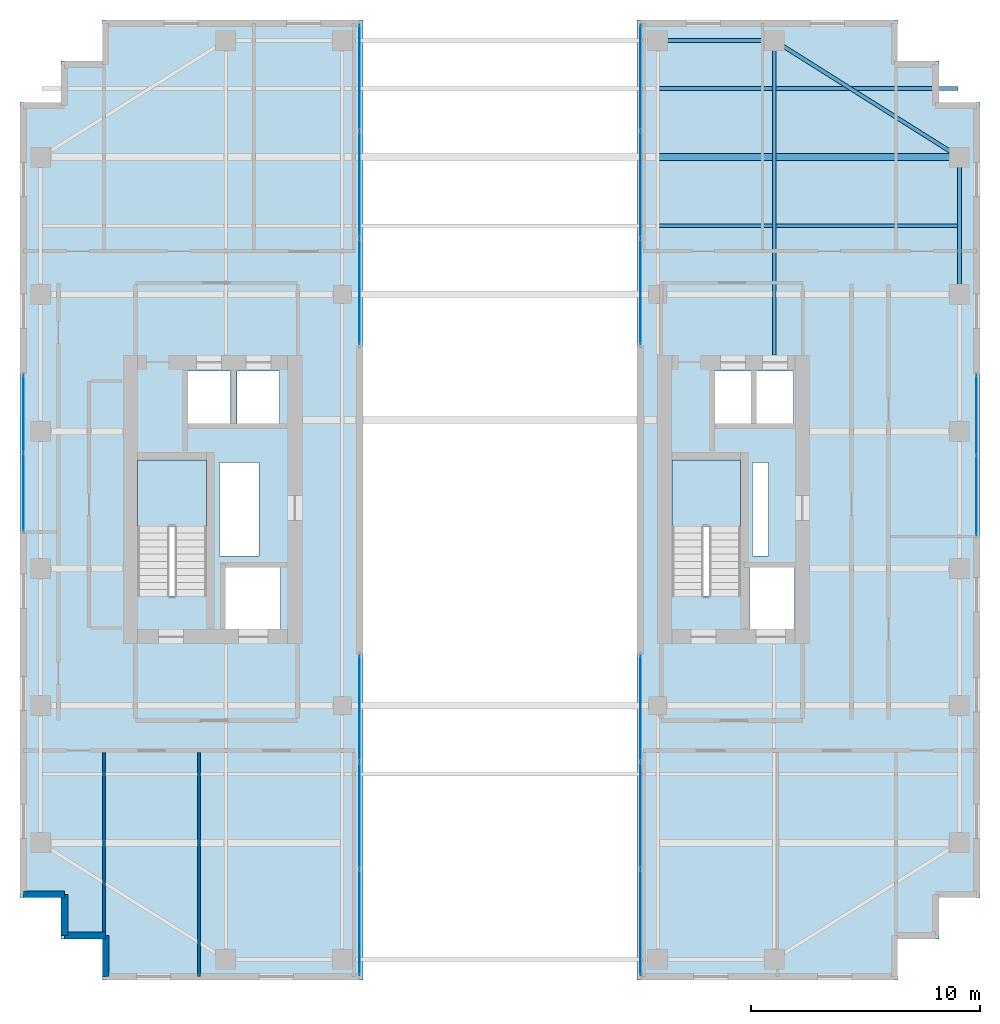
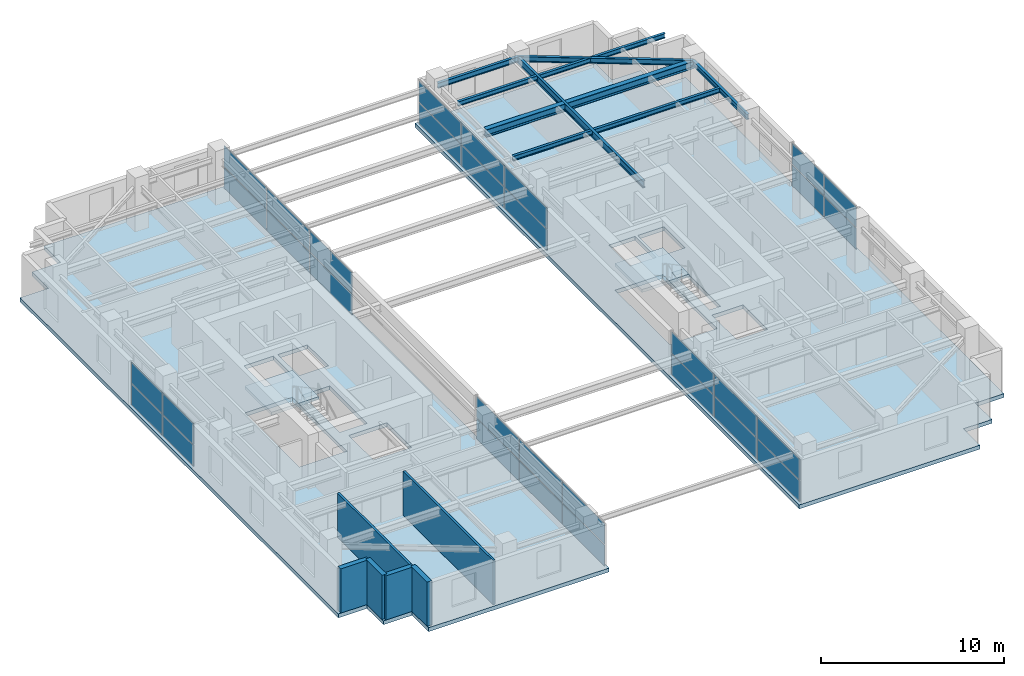
# One storey, part 16 of 21: 32 plates, 7 beams, 6 walls, 4 slabs, 8 elements without a shape of their own.
"""IFC4 building model written with IfcOpenShell, lengths in metres."""

import ifcopenshell
import ifcopenshell.guid

model = None  # the IFC model being written
_history = None  # IfcOwnerHistory: only IFC2X3 demands one
_inside = {}  # id of a spatial element -> (the spatial element, [elements in it])
_under = {}  # id of a project, library or spatial element -> (it, [spatial elements below it])
_declared = {}  # id of a project -> (the project, [libraries it declares])
_typed = {}  # id of a type object -> (the type object, [elements of that type])
_made_of = {}  # id of a material, layer set ... -> (it, [elements and type objects made of it])


def new_model(schema):
    """Start an empty IFC model of exactly this schema.

    Asked for "IFC4X3", IfcOpenShell would pick the latest addendum, in which some entities
    have other attributes; the version numbers below select the first issue.
    IFC2X3 requires an IfcOwnerHistory on every rooted entity: one is made here for all.
    """
    global model, _history
    if schema == "IFC4X3":
        model = ifcopenshell.file(schema_version=(4, 3, 0, 0))
    else:
        model = ifcopenshell.file(schema=schema)
    _inside.clear()
    _under.clear()
    _declared.clear()
    _typed.clear()
    _made_of.clear()
    _history = None
    if model.schema == "IFC2X3":
        org = make("IfcOrganization", Name="unknown")
        user = make(
            "IfcPersonAndOrganization",
            ThePerson=make("IfcPerson", FamilyName="unknown"),
            TheOrganization=org,
        )
        app = make(
            "IfcApplication",
            ApplicationDeveloper=org,
            Version="unknown",
            ApplicationFullName="unknown",
            ApplicationIdentifier="unknown",
        )
        _history = make(
            "IfcOwnerHistory",
            OwningUser=user,
            OwningApplication=app,
            ChangeAction="ADDED",
            CreationDate=0,
        )
    return model


def make(cls, **values):
    """One entity of the class cls with the attributes given. An attribute that is None is left unset."""
    return model.create_entity(
        cls, **{name: value for name, value in values.items() if value is not None}
    )


def rooted(cls, **values):
    """An entity with a GlobalId (a new one), such as an element, a storey or a relation."""
    return make(cls, GlobalId=ifcopenshell.guid.new(), OwnerHistory=_history, **values)


def si_unit(unit_type, name, prefix=None):
    """IfcSIUnit, for example si_unit("LENGTHUNIT", "METRE", prefix="MILLI")."""
    return make("IfcSIUnit", UnitType=unit_type, Prefix=prefix, Name=name)


def assignment(units):
    """IfcUnitAssignment: the units of a project."""
    return None if units is None else make("IfcUnitAssignment", Units=units)


def point(xyz):
    """IfcCartesianPoint."""
    return None if xyz is None else make("IfcCartesianPoint", Coordinates=xyz)


def direction(xyz):
    """IfcDirection."""
    return None if xyz is None else make("IfcDirection", DirectionRatios=xyz)


def frame(location, z_axis=None, x_axis=None):
    """IfcAxis2Placement3D, a coordinate frame: its origin and axes. An axis left out is left unset."""
    return make(
        "IfcAxis2Placement3D",
        Location=point(location),
        Axis=direction(z_axis),
        RefDirection=direction(x_axis),
    )


def frame_2d(location, x_axis=None):
    """IfcAxis2Placement2D, a coordinate frame in the plane: its origin and x axis."""
    return make(
        "IfcAxis2Placement2D", Location=point(location), RefDirection=direction(x_axis)
    )


def origin():
    """The frame at (0, 0, 0) with its axes left unset."""
    return frame((0.0, 0.0, 0.0))


def origin_2d():
    """The frame at (0, 0) in the plane with its x axis left unset."""
    return frame_2d((0.0, 0.0))


def place(relative_to, where):
    """IfcLocalPlacement: puts the frame where relative to a parent placement (None: the world)."""
    return make(
        "IfcLocalPlacement", PlacementRelTo=relative_to, RelativePlacement=where
    )


def context(
    kind, dimensions, precision=None, world=None, true_north=None, identifier=None
):
    """IfcGeometricRepresentationContext, for example the 3D "Model" context."""
    return make(
        "IfcGeometricRepresentationContext",
        ContextIdentifier=identifier,
        ContextType=kind,
        CoordinateSpaceDimension=dimensions,
        Precision=precision,
        WorldCoordinateSystem=world,
        TrueNorth=true_north,
    )


def subcontext(parent, identifier, kind, view, scale=None):
    """IfcGeometricRepresentationSubContext, for example "Body" below "Model"."""
    return make(
        "IfcGeometricRepresentationSubContext",
        ContextIdentifier=identifier,
        ContextType=kind,
        ParentContext=parent,
        TargetScale=scale,
        TargetView=view,
    )


def project(units=None, contexts=None):
    """IfcProject with its units and contexts."""
    return rooted(
        "IfcProject",
        Name="project",
        RepresentationContexts=contexts,
        UnitsInContext=assignment(units),
    )


def spatial(cls, under=None, at=None, **own):
    """A site, building, storey or space (cls), placed at a placement, below another one or the project."""
    s = rooted(cls, ObjectPlacement=at, **own)
    if under is not None:
        _under.setdefault(under.id(), (under, []))[1].append(s)
    return s


def polyline(points):
    """IfcPolyline through the points."""
    return make("IfcPolyline", Points=[point(p) for p in points])


def profile(cls, at=None, kind="AREA", **sizes):
    """A parametric profile (cls). Its sizes go by their IFC names, for example OverallWidth=200.0."""
    return make(cls, ProfileType=kind, Position=at, **sizes)


def rectangle(**sizes):
    """IfcRectangleProfileDef."""
    return profile("IfcRectangleProfileDef", **sizes)


def i_section(**sizes):
    """IfcIShapeProfileDef."""
    return profile("IfcIShapeProfileDef", **sizes)


def outline(outer, holes=None, kind="AREA"):
    """IfcArbitraryClosedProfileDef: a profile drawn as a closed curve; with holes, ...WithVoids."""
    if holes is None:
        return make("IfcArbitraryClosedProfileDef", ProfileType=kind, OuterCurve=outer)
    return make(
        "IfcArbitraryProfileDefWithVoids",
        ProfileType=kind,
        OuterCurve=outer,
        InnerCurves=holes,
    )


def extrude(swept, where, along, depth):
    """IfcExtrudedAreaSolid: the profile swept, set in the frame where, extruded along a direction by depth."""
    return make(
        "IfcExtrudedAreaSolid",
        SweptArea=swept,
        Position=where,
        ExtrudedDirection=direction(along),
        Depth=depth,
    )


def shape(context_of_items, identifier, shape_type, items):
    """IfcShapeRepresentation: the items that make up one representation, for example the "Body"."""
    return make(
        "IfcShapeRepresentation",
        ContextOfItems=context_of_items,
        RepresentationIdentifier=identifier,
        RepresentationType=shape_type,
        Items=items,
    )


def source(mapping_origin, context_of_items, identifier, shape_type, items):
    """IfcRepresentationMap: a shape defined once, which mapped items show again and again."""
    return make(
        "IfcRepresentationMap",
        MappingOrigin=mapping_origin,
        MappedRepresentation=shape(context_of_items, identifier, shape_type, items),
    )


def transform(
    local_origin,
    x_axis=None,
    y_axis=None,
    z_axis=None,
    scale=None,
    scale2=None,
    scale3=None,
    uniform=True,
):
    """IfcCartesianTransformationOperator3D, or its non-uniform kind. x_axis, y_axis, z_axis: its Axis1, 2, 3."""
    if uniform:
        return make(
            "IfcCartesianTransformationOperator3D",
            Axis1=direction(x_axis),
            Axis2=direction(y_axis),
            LocalOrigin=point(local_origin),
            Scale=scale,
            Axis3=direction(z_axis),
        )
    return make(
        "IfcCartesianTransformationOperator3DnonUniform",
        Axis1=direction(x_axis),
        Axis2=direction(y_axis),
        LocalOrigin=point(local_origin),
        Scale=scale,
        Axis3=direction(z_axis),
        Scale2=scale2,
        Scale3=scale3,
    )


def mapped(mapping_source, mapping_target):
    """IfcMappedItem: shows the shape of a source again, moved by a transform."""
    return make(
        "IfcMappedItem", MappingSource=mapping_source, MappingTarget=mapping_target
    )


def material(Name=None, Category=None):
    """IfcMaterial."""
    return make("IfcMaterial", Name=Name, Category=Category)


def layer(
    of_material, thickness, ventilated=None, Name=None, Category=None, Priority=None
):
    """IfcMaterialLayer: one layer of a wall or slab, of a material (None: an air gap)."""
    return make(
        "IfcMaterialLayer",
        Material=of_material,
        LayerThickness=thickness,
        IsVentilated=ventilated,
        Name=Name,
        Category=Category,
        Priority=Priority,
    )


def layer_set(layers, Name=None):
    """IfcMaterialLayerSet."""
    return make("IfcMaterialLayerSet", MaterialLayers=layers, LayerSetName=Name)


def material_profile(
    of_material, cross_section, Name=None, Category=None, Priority=None
):
    """IfcMaterialProfile: a cross section and its material."""
    return make(
        "IfcMaterialProfile",
        Name=Name,
        Material=of_material,
        Profile=cross_section,
        Priority=Priority,
        Category=Category,
    )


def profile_set(profiles, Name=None, composite=None):
    """IfcMaterialProfileSet."""
    return make(
        "IfcMaterialProfileSet",
        Name=Name,
        MaterialProfiles=profiles,
        CompositeProfile=composite,
    )


def made_of(thing, what):
    """Note that an element or type object is made of a material, layer set ...; save() writes the relation."""
    if what is not None:
        _made_of.setdefault(what.id(), (what, []))[1].append(thing)
    return thing


def type_object(cls, material=None, **own):
    """A type object (cls), such as IfcWallType, which elements share."""
    return made_of(rooted(cls, **own), material)


def element(
    cls,
    number,
    at=None,
    inside=None,
    cuts=None,
    type_object=None,
    material=None,
    context=None,
    identifier="Body",
    shape_type=None,
    held_by="IfcProductDefinitionShape",
    body=None,
    shapes=None,
    **own,
):
    """One element of the class cls, such as IfcWall. Its Tag is "e" and its number.

    at: its placement. inside: the storey or other place that contains it. cuts: it is an
    opening in that element (IfcRelVoidsElement). A single representation is given by context,
    identifier, shape_type and body (its items); several are given by shapes. held_by: the class
    of the entity that holds the representations. save() writes the other relations.
    """
    e = rooted(cls, Tag="e%d" % number, ObjectPlacement=at, **own)
    if body is not None:
        shapes = [shape(context, identifier, shape_type, body)]
    if shapes is not None:
        e.Representation = make(held_by, Representations=shapes)
    if inside is not None:
        _inside.setdefault(inside.id(), (inside, []))[1].append(e)
    if cuts is not None:
        rooted(
            "IfcRelVoidsElement", RelatingBuildingElement=cuts, RelatedOpeningElement=e
        )
    if type_object is not None:
        _typed.setdefault(type_object.id(), (type_object, []))[1].append(e)
    return made_of(e, material)


def aggregate(whole, parts):
    """IfcRelAggregates: a whole, such as a stair, and the parts it consists of."""
    return rooted("IfcRelAggregates", RelatingObject=whole, RelatedObjects=parts)


def save(model, path):
    """Write the relations noted so far, then the file.

    IfcRelAggregates (storeys below a building ...), IfcRelContainedInSpatialStructure (elements
    in a storey), IfcRelDefinesByType, IfcRelAssociatesMaterial and IfcRelDeclares: one each for
    every whole, place, type object, material and project.
    """
    for whole, parts in _under.values():
        aggregate(whole, parts)
    for where, things in _inside.values():
        rooted(
            "IfcRelContainedInSpatialStructure",
            RelatedElements=things,
            RelatingStructure=where,
        )
    for kind, things in _typed.values():
        rooted("IfcRelDefinesByType", RelatedObjects=things, RelatingType=kind)
    for what, things in _made_of.values():
        rooted("IfcRelAssociatesMaterial", RelatedObjects=things, RelatingMaterial=what)
    for by, libraries in _declared.values():
        rooted("IfcRelDeclares", RelatingContext=by, RelatedDefinitions=libraries)
    model.write(path)


model = new_model("IFC4")

# Units and contexts
model_context = context("Model", 3, precision=1e-05, world=origin(), true_north=direction((0.0, 1.0)))
body_context = subcontext(model_context, "Body", "Model", "MODEL_VIEW")
ifc_project = project(units=[si_unit("LENGTHUNIT", "METRE"), si_unit("AREAUNIT", "SQUARE_METRE"), si_unit("VOLUMEUNIT", "CUBIC_METRE"), si_unit("PLANEANGLEUNIT", "RADIAN"), si_unit("MASSUNIT", "GRAM", prefix="KILO")], contexts=[model_context])

# Site, building, storey
site_placement = place(None, origin())
site = spatial("IfcSite", under=ifc_project, at=site_placement, CompositionType="ELEMENT")
building_placement = place(site_placement, origin())
building = spatial("IfcBuilding", under=site, at=building_placement, Name="Khoralis Quay Care Tower", CompositionType="ELEMENT")
storey_placement = place(building_placement, frame((0.0, 0.0, 213.300048828125)))
storey = spatial("IfcBuildingStorey", under=building, at=storey_placement, Name="L56", CompositionType="ELEMENT", Elevation=213.300048828125)

# Beams
ifc_material_1 = material(Name="Steel S355", Category="steel")
ifc_material_profile_1 = material_profile(ifc_material_1, i_section(OverallWidth=0.169921875, OverallDepth=0.360107421875, WebThickness=0.008056640625, FlangeThickness=0.0126953125, FilletRadius=0.01806640625, at=origin_2d()), Name="Steel S355")
ifc_profile_set_1 = profile_set([ifc_material_profile_1], Name="Steel S355")
beam_type_1 = type_object("IfcBeamType", Name="BM-IPE360", PredefinedType="SPANDREL", material=ifc_profile_set_1)
shared_shape_1 = source(origin(), body_context, "Body", "SweptSolid", [
    extrude(i_section(OverallWidth=0.169921875, OverallDepth=0.360107421875, WebThickness=0.008056640625, FlangeThickness=0.0126953125, FilletRadius=0.01806640625, at=origin_2d()), origin(), (0.0, 0.0, 1.0), 5.10009765625),
])
beam_1_placement = place(storey_placement, frame((30.89990234375, 41.10009765625, 2.77001953125), z_axis=(1.0, 0.0, 0.0), x_axis=(0.0, 1.0, 0.0)))
element("IfcBeam", 1, at=beam_1_placement, inside=storey, type_object=beam_type_1, Name="BM-TSP-L56-06", PredefinedType="SPANDREL", context=body_context, shape_type="MappedRepresentation", body=[
    mapped(shared_shape_1, transform((0.0, 0.0, 0.0), scale=1.0)),
])
shared_shape_2 = source(origin(), body_context, "Body", "SweptSolid", [
    extrude(i_section(OverallWidth=0.169921875, OverallDepth=0.360107421875, WebThickness=0.008056640625, FlangeThickness=0.0126953125, FilletRadius=0.01806640625, at=origin_2d()), origin(), (0.0, 0.0, 1.0), 6.0),
])
beam_2_placement = place(storey_placement, frame((44.10009765625, 30.0, 2.77001953125), z_axis=(0.0, 1.0, 0.0), x_axis=(-1.0, 0.0, 0.0)))
element("IfcBeam", 2, at=beam_2_placement, inside=storey, type_object=beam_type_1, Name="BM-TSP-L56-16", PredefinedType="SPANDREL", context=body_context, shape_type="MappedRepresentation", body=[
    mapped(shared_shape_2, transform((0.0, 0.0, 0.0), scale=1.0)),
])
shared_shape_3 = source(origin(), body_context, "Body", "SweptSolid", [
    extrude(i_section(OverallWidth=0.169921875, OverallDepth=0.360107421875, WebThickness=0.008056640625, FlangeThickness=0.0126953125, FilletRadius=0.01806640625, at=origin_2d()), origin(), (0.0, 0.0, 1.0), 9.572021484375),
])
beam_3_placement = place(storey_placement, frame((36.0, 41.10009765625, 2.77001953125), z_axis=(0.846231136359, -0.532815975602, 0.0), x_axis=(0.532815975602, 0.846231136359, 0.0)))
element("IfcBeam", 3, at=beam_3_placement, inside=storey, type_object=beam_type_1, Name="BM-TCR-L56-20", PredefinedType="SPANDREL", context=body_context, shape_type="MappedRepresentation", body=[
    mapped(shared_shape_3, transform((0.0, 0.0, 0.0), scale=1.0)),
])
ifc_material_profile_2 = material_profile(ifc_material_1, i_section(OverallWidth=0.300048828125, OverallDepth=0.5, WebThickness=0.014404296875, FlangeThickness=0.028076171875, FilletRadius=0.027099609375, at=origin_2d()), Name="Steel S355")
ifc_profile_set_2 = profile_set([ifc_material_profile_2], Name="Steel S355")
beam_type_2 = type_object("IfcBeamType", Name="BM-HEB500", PredefinedType="BEAM", material=ifc_profile_set_2)
shared_shape_4 = source(origin(), body_context, "Body", "SweptSolid", [
    extrude(i_section(OverallWidth=0.300048828125, OverallDepth=0.5, WebThickness=0.014404296875, FlangeThickness=0.028076171875, FilletRadius=0.027099609375, at=origin_2d()), origin(), (0.0, 0.0, 1.0), 13.135009765625),
])
beam_4_placement = place(storey_placement, frame((30.965087890625, 36.0, 2.699951171875), z_axis=(1.0, 0.0, 0.0), x_axis=(0.0, 1.0, 0.0)))
element("IfcBeam", 4, at=beam_4_placement, inside=storey, type_object=beam_type_2, Name="BM-TGXE-L56-360", PredefinedType="BEAM", context=body_context, shape_type="MappedRepresentation", body=[
    mapped(shared_shape_4, transform((0.0, 0.0, 0.0), scale=1.0)),
])
ifc_material_profile_3 = material_profile(ifc_material_1, i_section(OverallWidth=0.154052734375, OverallDepth=0.458984375, WebThickness=0.009033203125, FlangeThickness=0.015380859375, FilletRadius=0.014892578125, at=origin_2d()), Name="Steel S355")
ifc_profile_set_3 = profile_set([ifc_material_profile_3], Name="Steel S355")
beam_type_3 = type_object("IfcBeamType", Name="BM-W460X68", PredefinedType="BEAM", material=ifc_profile_set_3)
shared_shape_5 = source(origin(), body_context, "Body", "SweptSolid", [
    extrude(i_section(OverallWidth=0.154052734375, OverallDepth=0.458984375, WebThickness=0.009033203125, FlangeThickness=0.015380859375, FilletRadius=0.014892578125, at=origin_2d()), origin(), (0.0, 0.0, 1.0), 13.752197265625),
])
beam_5_placement = place(storey_placement, frame((36.0, 27.347900390625, 2.720458984375), z_axis=(0.0, 1.0, 0.0), x_axis=(-1.0, 0.0, 0.0)))
element("IfcBeam", 5, at=beam_5_placement, inside=storey, type_object=beam_type_3, Name="BM-TGYN-L56-360", PredefinedType="BEAM", context=body_context, shape_type="MappedRepresentation", body=[
    mapped(shared_shape_5, transform((0.0, 0.0, 0.0), scale=1.0)),
])
ifc_material_profile_4 = material_profile(ifc_material_1, i_section(OverallWidth=0.1650390625, OverallDepth=0.31005859375, WebThickness=0.005859375, FlangeThickness=0.009765625, FilletRadius=0.011962890625, at=origin_2d()), Name="Steel S355")
ifc_profile_set_4 = profile_set([ifc_material_profile_4], Name="Steel S355")
beam_type_4 = type_object("IfcBeamType", Name="BM-W310X39", PredefinedType="JOIST", material=ifc_profile_set_4)
shared_shape_6 = source(origin(), body_context, "Body", "SweptSolid", [
    extrude(i_section(OverallWidth=0.1650390625, OverallDepth=0.31005859375, WebThickness=0.005859375, FlangeThickness=0.009765625, FilletRadius=0.011962890625, at=origin_2d()), origin(), (0.0, 0.0, 1.0), 13.06396484375),
])
for number, where, z_axis, x_axis, name in (
    (6, (30.965087890625, 33.0, 2.794921875), (1.0, 0.0, 0.0), (0.0, 1.0, 0.0), "BM-TJS-L56-25"),
    (7, (30.965087890625, 39.0, 2.794921875), (1.0, 0.0, 0.0), (0.0, 1.0, 0.0), "BM-TJS-L56-28"),
):
    element("IfcBeam", number, at=place(storey_placement, frame(where, z_axis=z_axis, x_axis=x_axis)), inside=storey, type_object=beam_type_4, Name=name, PredefinedType="JOIST", context=body_context, shape_type="MappedRepresentation", body=[
        mapped(shared_shape_6, transform((0.0, 0.0, 0.0), scale=1.0)),
    ])

# Stair, slab
ifc_material_2 = material(Name="Precast concrete C45/55", Category="concrete")
stair_type = type_object("IfcStairType", Name="ST-TWR-DOGLEG-1400", PredefinedType="HALF_TURN_STAIR", material=ifc_material_2)
stair_1_placement = place(storey_placement, origin())
stair_1 = element("IfcStair", 8, at=stair_1_placement, inside=storey, type_object=stair_type, Name="L56 West Core Exit Stair ST-T1", PredefinedType="HALF_TURN_STAIR")
ifc_layer_1 = layer(ifc_material_2, 0.199951171875)
ifc_layer_set_1 = layer_set([ifc_layer_1], Name="Precast concrete C45/55")
slab_type_1 = type_object("IfcSlabType", Name="SLB-LANDING-200", PredefinedType="LANDING", material=ifc_layer_set_1)
slab_1_placement = place(storey_placement, frame((0.0, 0.0, 1.599853515625)))
slab_1 = element("IfcSlab", 9, at=slab_1_placement, type_object=slab_type_1, Name="ST-T1 landing 1", PredefinedType="LANDING", context=body_context, shape_type="SweptSolid", body=[
    extrude(outline(polyline([(11.14990234375, 19.840087890625), (11.14990234375, 22.75), (8.14990234375, 22.75), (8.14990234375, 19.840087890625), (11.14990234375, 19.840087890625)])), origin(), (0.0, 0.0, 1.0), 0.2001953125),
])
aggregate(stair_1, [slab_1])

stair_2_placement = place(storey_placement, origin())
stair_2 = element("IfcStair", 10, at=stair_2_placement, inside=storey, type_object=stair_type, Name="L56 East Core Exit Stair ST-T2", PredefinedType="HALF_TURN_STAIR")
slab_2_placement = place(storey_placement, frame((0.0, 0.0, 1.599853515625)))
slab_2 = element("IfcSlab", 11, at=slab_2_placement, type_object=slab_type_1, Name="ST-T2 landing 1", PredefinedType="LANDING", context=body_context, shape_type="SweptSolid", body=[
    extrude(outline(polyline([(34.52001953125, 19.840087890625), (34.52001953125, 22.75), (31.52001953125, 22.75), (31.52001953125, 19.840087890625), (34.52001953125, 19.840087890625)])), origin(), (0.0, 0.0, 1.0), 0.2001953125),
])
aggregate(stair_2, [slab_2])

# Slabs
ifc_material_3 = material(Name="Concrete C40/50", Category="concrete")
ifc_layer_2 = layer(ifc_material_3, 0.260009765625)
ifc_layer_set_2 = layer_set([ifc_layer_2], Name="Concrete C40/50")
slab_type_2 = type_object("IfcSlabType", Name="SLB-TWR-260", PredefinedType="FLOOR", material=ifc_layer_set_2)
slab_3_placement = place(storey_placement, frame((0.0, 0.0, -0.260009765625)))
element("IfcSlab", 12, at=slab_3_placement, inside=storey, type_object=slab_type_2, Name="Tower Wing 1 Slab L56", PredefinedType="FLOOR", context=body_context, shape_type="SweptSolid", body=[
    extrude(outline(polyline([(6.60009765625, 0.0), (18.0, 0.0), (18.0, 42.0), (6.60009765625, 42.0), (6.60009765625, 40.199951171875), (4.800048828125, 40.199951171875), (4.800048828125, 38.39990234375), (3.0, 38.39990234375), (3.0, 3.60009765625), (4.800048828125, 3.60009765625), (4.800048828125, 1.800048828125), (6.60009765625, 1.800048828125), (6.60009765625, 0.0)]), holes=[polyline([(11.14990234375, 16.800048828125), (11.14990234375, 22.75), (8.14990234375, 22.75), (8.14990234375, 16.800048828125), (11.14990234375, 16.800048828125)]), polyline([(12.0, 15.35009765625), (14.39990234375, 15.35009765625), (14.39990234375, 18.050048828125), (12.0, 18.050048828125), (12.0, 15.35009765625)]), polyline([(10.35009765625, 24.35009765625), (12.199951171875, 24.35009765625), (12.199951171875, 26.64990234375), (10.35009765625, 26.64990234375), (10.35009765625, 24.35009765625)]), polyline([(12.5, 24.35009765625), (14.35009765625, 24.35009765625), (14.35009765625, 26.64990234375), (12.5, 26.64990234375), (12.5, 24.35009765625)]), polyline([(11.719970703125, 18.550048828125), (13.449951171875, 18.550048828125), (13.449951171875, 22.64990234375), (11.719970703125, 22.64990234375), (11.719970703125, 18.550048828125)])]), origin(), (0.0, 0.0, 1.0), 0.260009765625),
])
slab_4_placement = place(storey_placement, frame((0.0, 0.0, -0.260009765625)))
element("IfcSlab", 13, at=slab_4_placement, inside=storey, type_object=slab_type_2, Name="Tower Wing 2 Slab L56", PredefinedType="FLOOR", context=body_context, shape_type="SweptSolid", body=[
    extrude(outline(polyline([(30.0, 0.0), (41.39990234375, 0.0), (41.39990234375, 1.800048828125), (43.199951171875, 1.800048828125), (43.199951171875, 3.60009765625), (45.0, 3.60009765625), (45.0, 38.39990234375), (43.199951171875, 38.39990234375), (43.199951171875, 40.199951171875), (41.39990234375, 40.199951171875), (41.39990234375, 42.0), (30.0, 42.0), (30.0, 0.0)]), holes=[polyline([(34.52001953125, 16.800048828125), (34.52001953125, 22.75), (31.52001953125, 22.75), (31.52001953125, 16.800048828125), (34.52001953125, 16.800048828125)]), polyline([(34.919921875, 15.35009765625), (36.8798828125, 15.35009765625), (36.8798828125, 18.050048828125), (34.919921875, 18.050048828125), (34.919921875, 15.35009765625)]), polyline([(33.3798828125, 24.35009765625), (35.030029296875, 24.35009765625), (35.030029296875, 26.64990234375), (33.3798828125, 26.64990234375), (33.3798828125, 24.35009765625)]), polyline([(35.199951171875, 24.35009765625), (36.85009765625, 24.35009765625), (36.85009765625, 26.64990234375), (35.199951171875, 26.64990234375), (35.199951171875, 24.35009765625)]), polyline([(35.050048828125, 18.550048828125), (35.75, 18.550048828125), (35.75, 22.64990234375), (35.050048828125, 22.64990234375), (35.050048828125, 18.550048828125)])]), origin(), (0.0, 0.0, 1.0), 0.260009765625),
])

# Curtain wall, plates
ifc_material_4 = material(Name="Pale anodised aluminium", Category="aluminium")
ifc_layer_3 = layer(ifc_material_4, 0.18994140625)
ifc_layer_set_3 = layer_set([ifc_layer_3], Name="Pale anodised aluminium")
curtain_wall_type_1 = type_object("IfcCurtainWallType", Name="CW-SYS-PORTAL", PredefinedType="NOTDEFINED", material=ifc_layer_set_3)
curtain_wall_1_placement = place(storey_placement, origin())
curtain_wall_1 = element("IfcCurtainWall", 14, at=curtain_wall_1_placement, inside=storey, type_object=curtain_wall_type_1, Name="L56 Unitised Curtain Wall CW-VP-L56-P1-S", PredefinedType="NOTDEFINED")
ifc_material_5 = material(Name="Low-E solar-control double glazing", Category="glass")
ifc_layer_4 = layer(ifc_material_5, 0.031982421875)
ifc_layer_set_4 = layer_set([ifc_layer_4], Name="Low-E solar-control double glazing")
plate_type = type_object("IfcPlateType", Name="PNL-VIS-32", PredefinedType="CURTAIN_PANEL", material=ifc_layer_set_4)
shared_shape_7 = source(origin(), body_context, "Body", "SweptSolid", [
    extrude(rectangle(XDim=4.610107421875, YDim=0.028076171875, at=origin_2d()), origin(), (0.0, 0.0, 1.0), 1.385009765625),
])
plate_1_placement = place(storey_placement, frame((17.85009765625, 2.514892578125, 0.06005859375), z_axis=(0.0, 0.0, 1.0), x_axis=(0.0, 1.0, 0.0)))
plate_1 = element("IfcPlate", 15, at=plate_1_placement, type_object=plate_type, Name="CW4 panel 1.1", PredefinedType="CURTAIN_PANEL", context=body_context, shape_type="MappedRepresentation", body=[
    mapped(shared_shape_7, transform((0.0, 0.0, 0.0), scale=1.0)),
])
plate_2_placement = place(storey_placement, frame((17.85009765625, 2.514892578125, 1.5048828125), z_axis=(0.0, 0.0, 1.0), x_axis=(0.0, 1.0, 0.0)))
plate_2 = element("IfcPlate", 16, at=plate_2_placement, type_object=plate_type, Name="CW4 panel 1.2", PredefinedType="CURTAIN_PANEL", context=body_context, shape_type="MappedRepresentation", body=[
    mapped(shared_shape_7, transform((0.0, 0.0, 0.0), scale=1.0)),
])
plate_3_placement = place(storey_placement, frame((17.85009765625, 11.885009765625, 0.06005859375), z_axis=(0.0, 0.0, 1.0), x_axis=(0.0, 1.0, 0.0)))
plate_3 = element("IfcPlate", 17, at=plate_3_placement, type_object=plate_type, Name="CW4 panel 3.1", PredefinedType="CURTAIN_PANEL", context=body_context, shape_type="MappedRepresentation", body=[
    mapped(shared_shape_7, transform((0.0, 0.0, 0.0), scale=1.0)),
])
plate_4_placement = place(storey_placement, frame((17.85009765625, 11.885009765625, 1.5048828125), z_axis=(0.0, 0.0, 1.0), x_axis=(0.0, 1.0, 0.0)))
plate_4 = element("IfcPlate", 18, at=plate_4_placement, type_object=plate_type, Name="CW4 panel 3.2", PredefinedType="CURTAIN_PANEL", context=body_context, shape_type="MappedRepresentation", body=[
    mapped(shared_shape_7, transform((0.0, 0.0, 0.0), scale=1.0)),
])

curtain_wall_2_placement = place(storey_placement, origin())
curtain_wall_2 = element("IfcCurtainWall", 19, at=curtain_wall_2_placement, inside=storey, type_object=curtain_wall_type_1, Name="L56 Unitised Curtain Wall CW-VP-L56-P1-N", PredefinedType="NOTDEFINED")
plate_5_placement = place(storey_placement, frame((17.85009765625, 30.114990234375, 0.06005859375), z_axis=(0.0, 0.0, 1.0), x_axis=(0.0, 1.0, 0.0)))
plate_5 = element("IfcPlate", 20, at=plate_5_placement, type_object=plate_type, Name="CW4 panel 1.1", PredefinedType="CURTAIN_PANEL", context=body_context, shape_type="MappedRepresentation", body=[
    mapped(shared_shape_7, transform((0.0, 0.0, 0.0), scale=1.0)),
])
plate_6_placement = place(storey_placement, frame((17.85009765625, 30.114990234375, 1.5048828125), z_axis=(0.0, 0.0, 1.0), x_axis=(0.0, 1.0, 0.0)))
plate_6 = element("IfcPlate", 21, at=plate_6_placement, type_object=plate_type, Name="CW4 panel 1.2", PredefinedType="CURTAIN_PANEL", context=body_context, shape_type="MappedRepresentation", body=[
    mapped(shared_shape_7, transform((0.0, 0.0, 0.0), scale=1.0)),
])
plate_7_placement = place(storey_placement, frame((17.85009765625, 39.485107421875, 0.06005859375), z_axis=(0.0, 0.0, 1.0), x_axis=(0.0, 1.0, 0.0)))
plate_7 = element("IfcPlate", 22, at=plate_7_placement, type_object=plate_type, Name="CW4 panel 3.1", PredefinedType="CURTAIN_PANEL", context=body_context, shape_type="MappedRepresentation", body=[
    mapped(shared_shape_7, transform((0.0, 0.0, 0.0), scale=1.0)),
])
plate_8_placement = place(storey_placement, frame((17.85009765625, 39.485107421875, 1.5048828125), z_axis=(0.0, 0.0, 1.0), x_axis=(0.0, 1.0, 0.0)))
plate_8 = element("IfcPlate", 23, at=plate_8_placement, type_object=plate_type, Name="CW4 panel 3.2", PredefinedType="CURTAIN_PANEL", context=body_context, shape_type="MappedRepresentation", body=[
    mapped(shared_shape_7, transform((0.0, 0.0, 0.0), scale=1.0)),
])

curtain_wall_3_placement = place(storey_placement, origin())
curtain_wall_3 = element("IfcCurtainWall", 24, at=curtain_wall_3_placement, inside=storey, type_object=curtain_wall_type_1, Name="L56 Unitised Curtain Wall CW-VP-L56-P2-S", PredefinedType="NOTDEFINED")
plate_9_placement = place(storey_placement, frame((30.14990234375, 2.514892578125, 0.06005859375), z_axis=(0.0, 0.0, 1.0), x_axis=(0.0, 1.0, 0.0)))
plate_9 = element("IfcPlate", 25, at=plate_9_placement, type_object=plate_type, Name="CW4 panel 1.1", PredefinedType="CURTAIN_PANEL", context=body_context, shape_type="MappedRepresentation", body=[
    mapped(shared_shape_7, transform((0.0, 0.0, 0.0), scale=1.0)),
])
plate_10_placement = place(storey_placement, frame((30.14990234375, 2.514892578125, 1.5048828125), z_axis=(0.0, 0.0, 1.0), x_axis=(0.0, 1.0, 0.0)))
plate_10 = element("IfcPlate", 26, at=plate_10_placement, type_object=plate_type, Name="CW4 panel 1.2", PredefinedType="CURTAIN_PANEL", context=body_context, shape_type="MappedRepresentation", body=[
    mapped(shared_shape_7, transform((0.0, 0.0, 0.0), scale=1.0)),
])
plate_11_placement = place(storey_placement, frame((30.14990234375, 11.885009765625, 0.06005859375), z_axis=(0.0, 0.0, 1.0), x_axis=(0.0, 1.0, 0.0)))
plate_11 = element("IfcPlate", 27, at=plate_11_placement, type_object=plate_type, Name="CW4 panel 3.1", PredefinedType="CURTAIN_PANEL", context=body_context, shape_type="MappedRepresentation", body=[
    mapped(shared_shape_7, transform((0.0, 0.0, 0.0), scale=1.0)),
])
plate_12_placement = place(storey_placement, frame((30.14990234375, 11.885009765625, 1.5048828125), z_axis=(0.0, 0.0, 1.0), x_axis=(0.0, 1.0, 0.0)))
plate_12 = element("IfcPlate", 28, at=plate_12_placement, type_object=plate_type, Name="CW4 panel 3.2", PredefinedType="CURTAIN_PANEL", context=body_context, shape_type="MappedRepresentation", body=[
    mapped(shared_shape_7, transform((0.0, 0.0, 0.0), scale=1.0)),
])

curtain_wall_4_placement = place(storey_placement, origin())
curtain_wall_4 = element("IfcCurtainWall", 29, at=curtain_wall_4_placement, inside=storey, type_object=curtain_wall_type_1, Name="L56 Unitised Curtain Wall CW-VP-L56-P2-N", PredefinedType="NOTDEFINED")
plate_13_placement = place(storey_placement, frame((30.14990234375, 30.114990234375, 0.06005859375), z_axis=(0.0, 0.0, 1.0), x_axis=(0.0, 1.0, 0.0)))
plate_13 = element("IfcPlate", 30, at=plate_13_placement, type_object=plate_type, Name="CW4 panel 1.1", PredefinedType="CURTAIN_PANEL", context=body_context, shape_type="MappedRepresentation", body=[
    mapped(shared_shape_7, transform((0.0, 0.0, 0.0), scale=1.0)),
])
plate_14_placement = place(storey_placement, frame((30.14990234375, 30.114990234375, 1.5048828125), z_axis=(0.0, 0.0, 1.0), x_axis=(0.0, 1.0, 0.0)))
plate_14 = element("IfcPlate", 31, at=plate_14_placement, type_object=plate_type, Name="CW4 panel 1.2", PredefinedType="CURTAIN_PANEL", context=body_context, shape_type="MappedRepresentation", body=[
    mapped(shared_shape_7, transform((0.0, 0.0, 0.0), scale=1.0)),
])
plate_15_placement = place(storey_placement, frame((30.14990234375, 39.485107421875, 0.06005859375), z_axis=(0.0, 0.0, 1.0), x_axis=(0.0, 1.0, 0.0)))
plate_15 = element("IfcPlate", 32, at=plate_15_placement, type_object=plate_type, Name="CW4 panel 3.1", PredefinedType="CURTAIN_PANEL", context=body_context, shape_type="MappedRepresentation", body=[
    mapped(shared_shape_7, transform((0.0, 0.0, 0.0), scale=1.0)),
])
plate_16_placement = place(storey_placement, frame((30.14990234375, 39.485107421875, 1.5048828125), z_axis=(0.0, 0.0, 1.0), x_axis=(0.0, 1.0, 0.0)))
plate_16 = element("IfcPlate", 33, at=plate_16_placement, type_object=plate_type, Name="CW4 panel 3.2", PredefinedType="CURTAIN_PANEL", context=body_context, shape_type="MappedRepresentation", body=[
    mapped(shared_shape_7, transform((0.0, 0.0, 0.0), scale=1.0)),
])

# Plate
shared_shape_8 = source(origin(), body_context, "Body", "SweptSolid", [
    extrude(rectangle(XDim=4.639892578125, YDim=0.028076171875, at=origin_2d()), origin(), (0.0, 0.0, 1.0), 1.385009765625),
])
plate_17_placement = place(storey_placement, frame((17.85009765625, 7.199951171875, 0.06005859375), z_axis=(0.0, 0.0, 1.0), x_axis=(0.0, 1.0, 0.0)))
plate_17 = element("IfcPlate", 34, at=plate_17_placement, type_object=plate_type, Name="CW4 panel 2.1", PredefinedType="CURTAIN_PANEL", context=body_context, shape_type="MappedRepresentation", body=[
    mapped(shared_shape_8, transform((0.0, 0.0, 0.0), scale=1.0)),
])

plate_18_placement = place(storey_placement, frame((17.85009765625, 7.199951171875, 1.5048828125), z_axis=(0.0, 0.0, 1.0), x_axis=(0.0, 1.0, 0.0)))
plate_18 = element("IfcPlate", 35, at=plate_18_placement, type_object=plate_type, Name="CW4 panel 2.2", PredefinedType="CURTAIN_PANEL", context=body_context, shape_type="MappedRepresentation", body=[
    mapped(shared_shape_8, transform((0.0, 0.0, 0.0), scale=1.0)),
])

aggregate(curtain_wall_1, [plate_1, plate_2, plate_17, plate_18, plate_3, plate_4])

plate_19_placement = place(storey_placement, frame((17.85009765625, 34.800048828125, 0.06005859375), z_axis=(0.0, 0.0, 1.0), x_axis=(0.0, 1.0, 0.0)))
plate_19 = element("IfcPlate", 36, at=plate_19_placement, type_object=plate_type, Name="CW4 panel 2.1", PredefinedType="CURTAIN_PANEL", context=body_context, shape_type="MappedRepresentation", body=[
    mapped(shared_shape_8, transform((0.0, 0.0, 0.0), scale=1.0)),
])

plate_20_placement = place(storey_placement, frame((17.85009765625, 34.800048828125, 1.5048828125), z_axis=(0.0, 0.0, 1.0), x_axis=(0.0, 1.0, 0.0)))
plate_20 = element("IfcPlate", 37, at=plate_20_placement, type_object=plate_type, Name="CW4 panel 2.2", PredefinedType="CURTAIN_PANEL", context=body_context, shape_type="MappedRepresentation", body=[
    mapped(shared_shape_8, transform((0.0, 0.0, 0.0), scale=1.0)),
])

aggregate(curtain_wall_2, [plate_5, plate_6, plate_19, plate_20, plate_7, plate_8])

plate_21_placement = place(storey_placement, frame((30.14990234375, 7.199951171875, 0.06005859375), z_axis=(0.0, 0.0, 1.0), x_axis=(0.0, 1.0, 0.0)))
plate_21 = element("IfcPlate", 38, at=plate_21_placement, type_object=plate_type, Name="CW4 panel 2.1", PredefinedType="CURTAIN_PANEL", context=body_context, shape_type="MappedRepresentation", body=[
    mapped(shared_shape_8, transform((0.0, 0.0, 0.0), scale=1.0)),
])

plate_22_placement = place(storey_placement, frame((30.14990234375, 7.199951171875, 1.5048828125), z_axis=(0.0, 0.0, 1.0), x_axis=(0.0, 1.0, 0.0)))
plate_22 = element("IfcPlate", 39, at=plate_22_placement, type_object=plate_type, Name="CW4 panel 2.2", PredefinedType="CURTAIN_PANEL", context=body_context, shape_type="MappedRepresentation", body=[
    mapped(shared_shape_8, transform((0.0, 0.0, 0.0), scale=1.0)),
])

aggregate(curtain_wall_3, [plate_9, plate_10, plate_21, plate_22, plate_11, plate_12])

plate_23_placement = place(storey_placement, frame((30.14990234375, 34.800048828125, 0.06005859375), z_axis=(0.0, 0.0, 1.0), x_axis=(0.0, 1.0, 0.0)))
plate_23 = element("IfcPlate", 40, at=plate_23_placement, type_object=plate_type, Name="CW4 panel 2.1", PredefinedType="CURTAIN_PANEL", context=body_context, shape_type="MappedRepresentation", body=[
    mapped(shared_shape_8, transform((0.0, 0.0, 0.0), scale=1.0)),
])

plate_24_placement = place(storey_placement, frame((30.14990234375, 34.800048828125, 1.5048828125), z_axis=(0.0, 0.0, 1.0), x_axis=(0.0, 1.0, 0.0)))
plate_24 = element("IfcPlate", 41, at=plate_24_placement, type_object=plate_type, Name="CW4 panel 2.2", PredefinedType="CURTAIN_PANEL", context=body_context, shape_type="MappedRepresentation", body=[
    mapped(shared_shape_8, transform((0.0, 0.0, 0.0), scale=1.0)),
])

aggregate(curtain_wall_4, [plate_13, plate_14, plate_23, plate_24, plate_15, plate_16])

# Curtain wall, plates
ifc_layer_5 = layer(ifc_material_4, 0.159912109375)
ifc_layer_set_5 = layer_set([ifc_layer_5], Name="Pale anodised aluminium")
curtain_wall_type_2 = type_object("IfcCurtainWallType", Name="CW-SYS-Z3", PredefinedType="NOTDEFINED", material=ifc_layer_set_5)
curtain_wall_5_placement = place(storey_placement, origin())
curtain_wall_5 = element("IfcCurtainWall", 42, at=curtain_wall_5_placement, inside=storey, type_object=curtain_wall_type_2, Name="L56 Unitised Curtain Wall CW-L56-P1-E7", PredefinedType="NOTDEFINED")
shared_shape_9 = source(origin(), body_context, "Body", "SweptSolid", [
    extrude(rectangle(XDim=3.3701171875, YDim=0.028076171875, at=origin_2d()), origin(), (0.0, 0.0, 1.0), 1.385009765625),
])
plate_25_placement = place(storey_placement, frame((3.14990234375, 24.77490234375, 0.06005859375), z_axis=(0.0, 0.0, 1.0), x_axis=(0.0, -1.0, 0.0)))
plate_25 = element("IfcPlate", 43, at=plate_25_placement, type_object=plate_type, Name="CW3 panel 1.1", PredefinedType="CURTAIN_PANEL", context=body_context, shape_type="MappedRepresentation", body=[
    mapped(shared_shape_9, transform((0.0, 0.0, 0.0), scale=1.0)),
])
plate_26_placement = place(storey_placement, frame((3.14990234375, 24.77490234375, 1.5048828125), z_axis=(0.0, 0.0, 1.0), x_axis=(0.0, -1.0, 0.0)))
plate_26 = element("IfcPlate", 44, at=plate_26_placement, type_object=plate_type, Name="CW3 panel 1.2", PredefinedType="CURTAIN_PANEL", context=body_context, shape_type="MappedRepresentation", body=[
    mapped(shared_shape_9, transform((0.0, 0.0, 0.0), scale=1.0)),
])
plate_27_placement = place(storey_placement, frame((3.14990234375, 21.344970703125, 0.06005859375), z_axis=(0.0, 0.0, 1.0), x_axis=(0.0, -1.0, 0.0)))
plate_27 = element("IfcPlate", 45, at=plate_27_placement, type_object=plate_type, Name="CW3 panel 2.1", PredefinedType="CURTAIN_PANEL", context=body_context, shape_type="MappedRepresentation", body=[
    mapped(shared_shape_9, transform((0.0, 0.0, 0.0), scale=1.0)),
])
plate_28_placement = place(storey_placement, frame((3.14990234375, 21.344970703125, 1.5048828125), z_axis=(0.0, 0.0, 1.0), x_axis=(0.0, -1.0, 0.0)))
plate_28 = element("IfcPlate", 46, at=plate_28_placement, type_object=plate_type, Name="CW3 panel 2.2", PredefinedType="CURTAIN_PANEL", context=body_context, shape_type="MappedRepresentation", body=[
    mapped(shared_shape_9, transform((0.0, 0.0, 0.0), scale=1.0)),
])
aggregate(curtain_wall_5, [plate_25, plate_26, plate_27, plate_28])

curtain_wall_6_placement = place(storey_placement, origin())
curtain_wall_6 = element("IfcCurtainWall", 47, at=curtain_wall_6_placement, inside=storey, type_object=curtain_wall_type_2, Name="L56 Unitised Curtain Wall CW-L56-P2-E5", PredefinedType="NOTDEFINED")
shared_shape_10 = source(origin(), body_context, "Body", "SweptSolid", [
    extrude(rectangle(XDim=3.469970703125, YDim=0.028076171875, at=origin_2d()), origin(), (0.0, 0.0, 1.0), 1.385009765625),
])
plate_29_placement = place(storey_placement, frame((44.85009765625, 21.195068359375, 0.06005859375), z_axis=(0.0, 0.0, 1.0), x_axis=(0.0, 1.0, 0.0)))
plate_29 = element("IfcPlate", 48, at=plate_29_placement, type_object=plate_type, Name="CW3 panel 1.1", PredefinedType="CURTAIN_PANEL", context=body_context, shape_type="MappedRepresentation", body=[
    mapped(shared_shape_10, transform((0.0, 0.0, 0.0), scale=1.0)),
])
plate_30_placement = place(storey_placement, frame((44.85009765625, 21.195068359375, 1.5048828125), z_axis=(0.0, 0.0, 1.0), x_axis=(0.0, 1.0, 0.0)))
plate_30 = element("IfcPlate", 49, at=plate_30_placement, type_object=plate_type, Name="CW3 panel 1.2", PredefinedType="CURTAIN_PANEL", context=body_context, shape_type="MappedRepresentation", body=[
    mapped(shared_shape_10, transform((0.0, 0.0, 0.0), scale=1.0)),
])
plate_31_placement = place(storey_placement, frame((44.85009765625, 24.72509765625, 0.06005859375), z_axis=(0.0, 0.0, 1.0), x_axis=(0.0, 1.0, 0.0)))
plate_31 = element("IfcPlate", 50, at=plate_31_placement, type_object=plate_type, Name="CW3 panel 2.1", PredefinedType="CURTAIN_PANEL", context=body_context, shape_type="MappedRepresentation", body=[
    mapped(shared_shape_10, transform((0.0, 0.0, 0.0), scale=1.0)),
])
plate_32_placement = place(storey_placement, frame((44.85009765625, 24.72509765625, 1.5048828125), z_axis=(0.0, 0.0, 1.0), x_axis=(0.0, 1.0, 0.0)))
plate_32 = element("IfcPlate", 51, at=plate_32_placement, type_object=plate_type, Name="CW3 panel 2.2", PredefinedType="CURTAIN_PANEL", context=body_context, shape_type="MappedRepresentation", body=[
    mapped(shared_shape_10, transform((0.0, 0.0, 0.0), scale=1.0)),
])
aggregate(curtain_wall_6, [plate_29, plate_30, plate_31, plate_32])

# Walls
ifc_layer_6 = layer(ifc_material_2, 0.300048828125)
ifc_layer_set_6 = layer_set([ifc_layer_6], Name="Precast concrete C45/55")
wall_type_1 = type_object("IfcWallType", Name="WL-EXT-REF-300", PredefinedType="SOLIDWALL", material=ifc_layer_set_6)
for number, where, z_axis, x_axis, name in (
    (52, (3.14990234375, 3.75, 0.0), (0.0, 0.0, 1.0), (1.0, 0.0, 0.0), "L56 External Facade Wall WL-EXT-L56-P1-C8"),
    (53, (4.949951171875, 3.75, 0.0), (0.0, 0.0, 1.0), (0.0, -1.0, 0.0), "L56 External Facade Wall WL-EXT-L56-P1-C9"),
    (54, (4.949951171875, 1.949951171875, 0.0), (0.0, 0.0, 1.0), (1.0, 0.0, 0.0), "L56 External Facade Wall WL-EXT-L56-P1-C10"),
    (55, (6.75, 1.949951171875, 0.0), (0.0, 0.0, 1.0), (0.0, -1.0, 0.0), "L56 External Facade Wall WL-EXT-L56-P1-C11"),
):
    element("IfcWall", number, at=place(storey_placement, frame(where, z_axis=z_axis, x_axis=x_axis)), inside=storey, type_object=wall_type_1, Name=name, PredefinedType="SOLIDWALL", context=body_context, shape_type="SweptSolid", body=[
        extrude(rectangle(XDim=1.800048828125, YDim=0.300048828125, at=frame_2d((0.89990234375, 0.0))), origin(), (0.0, 0.0, 1.0), 2.949951171875),
    ])
ifc_material_6 = material(Name="Gypsum plasterboard on acoustic metal stud")
ifc_layer_7 = layer(ifc_material_6, 0.139892578125)
ifc_layer_set_7 = layer_set([ifc_layer_7], Name="Gypsum plasterboard on acoustic metal stud")
wall_type_2 = type_object("IfcWallType", Name="WL-UNIT-140", PredefinedType="PARTITIONING", material=ifc_layer_set_7)
wall_1_placement = place(storey_placement, frame((6.679931640625, 1.945068359375, 0.0), z_axis=(0.0, 0.0, 1.0), x_axis=(0.0, 1.0, 0.0)))
element("IfcWall", 56, at=wall_1_placement, inside=storey, type_object=wall_type_2, Name="L56 WS Demising Wall 0", PredefinedType="PARTITIONING", context=body_context, shape_type="SweptSolid", body=[
    extrude(rectangle(XDim=8.017333984375, YDim=0.139892578125, at=frame_2d((4.0087890625, 0.0))), origin(), (0.0, 0.0, 1.0), 2.949951171875),
])
wall_2_placement = place(storey_placement, frame((10.830078125, 0.14501953125, 0.0), z_axis=(0.0, 0.0, 1.0), x_axis=(0.0, 1.0, 0.0)))
element("IfcWall", 57, at=wall_2_placement, inside=storey, type_object=wall_type_2, Name="L56 WS Demising Wall 1", PredefinedType="PARTITIONING", context=body_context, shape_type="SweptSolid", body=[
    extrude(rectangle(XDim=9.8173828125, YDim=0.139892578125, at=frame_2d((4.90869140625, 0.0))), origin(), (0.0, 0.0, 1.0), 2.949951171875),
])

save(model, "model.ifc")
